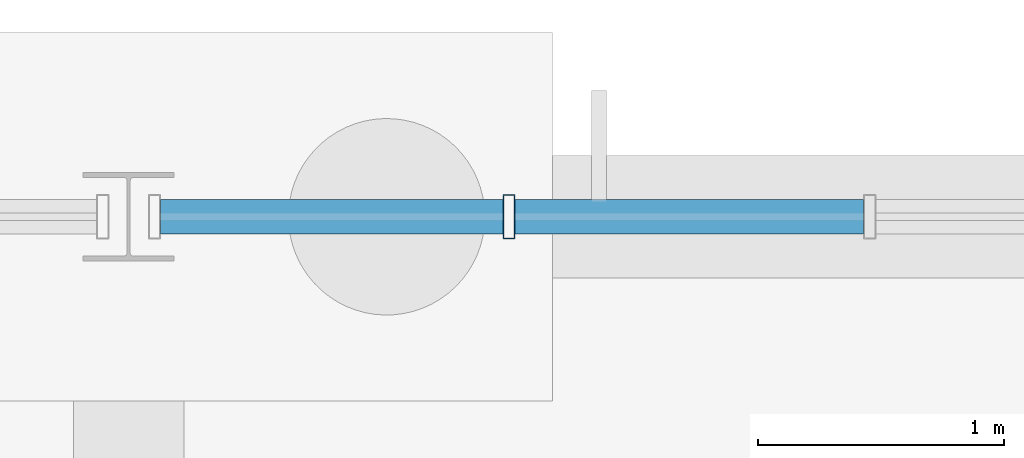
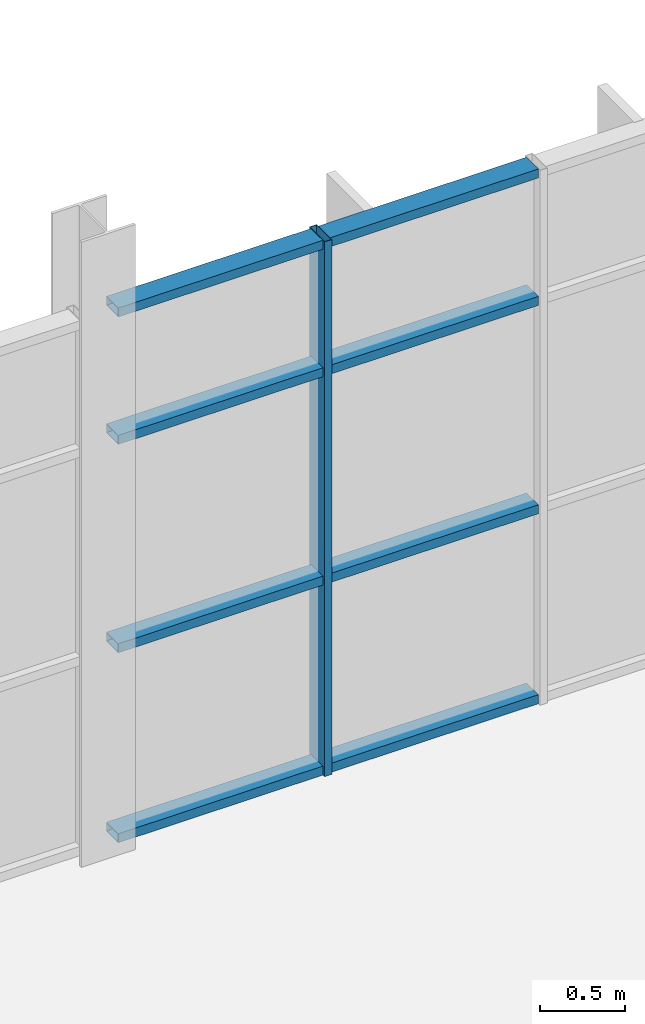
# One storey, part 34 of 136: 9 members, 1 element without a shape of its own.
"""IFC4 building model written with IfcOpenShell, lengths in metres."""

import ifcopenshell
import ifcopenshell.guid

model = None  # the IFC model being written
_history = None  # IfcOwnerHistory: only IFC2X3 demands one
_inside = {}  # id of a spatial element -> (the spatial element, [elements in it])
_under = {}  # id of a project, library or spatial element -> (it, [spatial elements below it])
_declared = {}  # id of a project -> (the project, [libraries it declares])
_typed = {}  # id of a type object -> (the type object, [elements of that type])
_made_of = {}  # id of a material, layer set ... -> (it, [elements and type objects made of it])


def new_model(schema):
    """Start an empty IFC model of exactly this schema.

    Asked for "IFC4X3", IfcOpenShell would pick the latest addendum, in which some entities
    have other attributes; the version numbers below select the first issue.
    IFC2X3 requires an IfcOwnerHistory on every rooted entity: one is made here for all.
    """
    global model, _history
    if schema == "IFC4X3":
        model = ifcopenshell.file(schema_version=(4, 3, 0, 0))
    else:
        model = ifcopenshell.file(schema=schema)
    _inside.clear()
    _under.clear()
    _declared.clear()
    _typed.clear()
    _made_of.clear()
    _history = None
    if model.schema == "IFC2X3":
        org = make("IfcOrganization", Name="unknown")
        user = make(
            "IfcPersonAndOrganization",
            ThePerson=make("IfcPerson", FamilyName="unknown"),
            TheOrganization=org,
        )
        app = make(
            "IfcApplication",
            ApplicationDeveloper=org,
            Version="unknown",
            ApplicationFullName="unknown",
            ApplicationIdentifier="unknown",
        )
        _history = make(
            "IfcOwnerHistory",
            OwningUser=user,
            OwningApplication=app,
            ChangeAction="ADDED",
            CreationDate=0,
        )
    return model


def make(cls, **values):
    """One entity of the class cls with the attributes given. An attribute that is None is left unset."""
    return model.create_entity(
        cls, **{name: value for name, value in values.items() if value is not None}
    )


def rooted(cls, **values):
    """An entity with a GlobalId (a new one), such as an element, a storey or a relation."""
    return make(cls, GlobalId=ifcopenshell.guid.new(), OwnerHistory=_history, **values)


def si_unit(unit_type, name, prefix=None):
    """IfcSIUnit, for example si_unit("LENGTHUNIT", "METRE", prefix="MILLI")."""
    return make("IfcSIUnit", UnitType=unit_type, Prefix=prefix, Name=name)


def assignment(units):
    """IfcUnitAssignment: the units of a project."""
    return None if units is None else make("IfcUnitAssignment", Units=units)


def point(xyz):
    """IfcCartesianPoint."""
    return None if xyz is None else make("IfcCartesianPoint", Coordinates=xyz)


def direction(xyz):
    """IfcDirection."""
    return None if xyz is None else make("IfcDirection", DirectionRatios=xyz)


def frame(location, z_axis=None, x_axis=None):
    """IfcAxis2Placement3D, a coordinate frame: its origin and axes. An axis left out is left unset."""
    return make(
        "IfcAxis2Placement3D",
        Location=point(location),
        Axis=direction(z_axis),
        RefDirection=direction(x_axis),
    )


def frame_2d(location, x_axis=None):
    """IfcAxis2Placement2D, a coordinate frame in the plane: its origin and x axis."""
    return make(
        "IfcAxis2Placement2D", Location=point(location), RefDirection=direction(x_axis)
    )


def origin():
    """The frame at (0, 0, 0) with its axes left unset."""
    return frame((0.0, 0.0, 0.0))


def origin_2d():
    """The frame at (0, 0) in the plane with its x axis left unset."""
    return frame_2d((0.0, 0.0))


def place(relative_to, where):
    """IfcLocalPlacement: puts the frame where relative to a parent placement (None: the world)."""
    return make(
        "IfcLocalPlacement", PlacementRelTo=relative_to, RelativePlacement=where
    )


def context(
    kind, dimensions, precision=None, world=None, true_north=None, identifier=None
):
    """IfcGeometricRepresentationContext, for example the 3D "Model" context."""
    return make(
        "IfcGeometricRepresentationContext",
        ContextIdentifier=identifier,
        ContextType=kind,
        CoordinateSpaceDimension=dimensions,
        Precision=precision,
        WorldCoordinateSystem=world,
        TrueNorth=true_north,
    )


def subcontext(parent, identifier, kind, view, scale=None):
    """IfcGeometricRepresentationSubContext, for example "Body" below "Model"."""
    return make(
        "IfcGeometricRepresentationSubContext",
        ContextIdentifier=identifier,
        ContextType=kind,
        ParentContext=parent,
        TargetScale=scale,
        TargetView=view,
    )


def project(units=None, contexts=None):
    """IfcProject with its units and contexts."""
    return rooted(
        "IfcProject",
        Name="project",
        RepresentationContexts=contexts,
        UnitsInContext=assignment(units),
    )


def spatial(cls, under=None, at=None, **own):
    """A site, building, storey or space (cls), placed at a placement, below another one or the project."""
    s = rooted(cls, ObjectPlacement=at, **own)
    if under is not None:
        _under.setdefault(under.id(), (under, []))[1].append(s)
    return s


def profile(cls, at=None, kind="AREA", **sizes):
    """A parametric profile (cls). Its sizes go by their IFC names, for example OverallWidth=200.0."""
    return make(cls, ProfileType=kind, Position=at, **sizes)


def hollow_rectangle(**sizes):
    """IfcRectangleHollowProfileDef."""
    return profile("IfcRectangleHollowProfileDef", **sizes)


def extrude(swept, where, along, depth):
    """IfcExtrudedAreaSolid: the profile swept, set in the frame where, extruded along a direction by depth."""
    return make(
        "IfcExtrudedAreaSolid",
        SweptArea=swept,
        Position=where,
        ExtrudedDirection=direction(along),
        Depth=depth,
    )


def shape(context_of_items, identifier, shape_type, items):
    """IfcShapeRepresentation: the items that make up one representation, for example the "Body"."""
    return make(
        "IfcShapeRepresentation",
        ContextOfItems=context_of_items,
        RepresentationIdentifier=identifier,
        RepresentationType=shape_type,
        Items=items,
    )


def material(Name=None, Category=None):
    """IfcMaterial."""
    return make("IfcMaterial", Name=Name, Category=Category)


def layer(
    of_material, thickness, ventilated=None, Name=None, Category=None, Priority=None
):
    """IfcMaterialLayer: one layer of a wall or slab, of a material (None: an air gap)."""
    return make(
        "IfcMaterialLayer",
        Material=of_material,
        LayerThickness=thickness,
        IsVentilated=ventilated,
        Name=Name,
        Category=Category,
        Priority=Priority,
    )


def layer_set(layers, Name=None):
    """IfcMaterialLayerSet."""
    return make("IfcMaterialLayerSet", MaterialLayers=layers, LayerSetName=Name)


def material_profile(
    of_material, cross_section, Name=None, Category=None, Priority=None
):
    """IfcMaterialProfile: a cross section and its material."""
    return make(
        "IfcMaterialProfile",
        Name=Name,
        Material=of_material,
        Profile=cross_section,
        Priority=Priority,
        Category=Category,
    )


def profile_set(profiles, Name=None, composite=None):
    """IfcMaterialProfileSet."""
    return make(
        "IfcMaterialProfileSet",
        Name=Name,
        MaterialProfiles=profiles,
        CompositeProfile=composite,
    )


def made_of(thing, what):
    """Note that an element or type object is made of a material, layer set ...; save() writes the relation."""
    if what is not None:
        _made_of.setdefault(what.id(), (what, []))[1].append(thing)
    return thing


def type_object(cls, material=None, **own):
    """A type object (cls), such as IfcWallType, which elements share."""
    return made_of(rooted(cls, **own), material)


def element(
    cls,
    number,
    at=None,
    inside=None,
    cuts=None,
    type_object=None,
    material=None,
    context=None,
    identifier="Body",
    shape_type=None,
    held_by="IfcProductDefinitionShape",
    body=None,
    shapes=None,
    **own,
):
    """One element of the class cls, such as IfcWall. Its Tag is "e" and its number.

    at: its placement. inside: the storey or other place that contains it. cuts: it is an
    opening in that element (IfcRelVoidsElement). A single representation is given by context,
    identifier, shape_type and body (its items); several are given by shapes. held_by: the class
    of the entity that holds the representations. save() writes the other relations.
    """
    e = rooted(cls, Tag="e%d" % number, ObjectPlacement=at, **own)
    if body is not None:
        shapes = [shape(context, identifier, shape_type, body)]
    if shapes is not None:
        e.Representation = make(held_by, Representations=shapes)
    if inside is not None:
        _inside.setdefault(inside.id(), (inside, []))[1].append(e)
    if cuts is not None:
        rooted(
            "IfcRelVoidsElement", RelatingBuildingElement=cuts, RelatedOpeningElement=e
        )
    if type_object is not None:
        _typed.setdefault(type_object.id(), (type_object, []))[1].append(e)
    return made_of(e, material)


def aggregate(whole, parts):
    """IfcRelAggregates: a whole, such as a stair, and the parts it consists of."""
    return rooted("IfcRelAggregates", RelatingObject=whole, RelatedObjects=parts)


def save(model, path):
    """Write the relations noted so far, then the file.

    IfcRelAggregates (storeys below a building ...), IfcRelContainedInSpatialStructure (elements
    in a storey), IfcRelDefinesByType, IfcRelAssociatesMaterial and IfcRelDeclares: one each for
    every whole, place, type object, material and project.
    """
    for whole, parts in _under.values():
        aggregate(whole, parts)
    for where, things in _inside.values():
        rooted(
            "IfcRelContainedInSpatialStructure",
            RelatedElements=things,
            RelatingStructure=where,
        )
    for kind, things in _typed.values():
        rooted("IfcRelDefinesByType", RelatedObjects=things, RelatingType=kind)
    for what, things in _made_of.values():
        rooted("IfcRelAssociatesMaterial", RelatedObjects=things, RelatingMaterial=what)
    for by, libraries in _declared.values():
        rooted("IfcRelDeclares", RelatingContext=by, RelatedDefinitions=libraries)
    model.write(path)


model = new_model("IFC4")

# Units and contexts
model_context = context("Model", 3, precision=1e-05, world=origin(), true_north=direction((0.0, 1.0)))
body_context = subcontext(model_context, "Body", "Model", "MODEL_VIEW")
ifc_project = project(units=[si_unit("LENGTHUNIT", "METRE"), si_unit("AREAUNIT", "SQUARE_METRE"), si_unit("VOLUMEUNIT", "CUBIC_METRE"), si_unit("PLANEANGLEUNIT", "RADIAN"), si_unit("MASSUNIT", "GRAM", prefix="KILO")], contexts=[model_context])

# Site, building, storey
site_placement = place(None, origin())
site = spatial("IfcSite", under=ifc_project, at=site_placement, CompositionType="ELEMENT")
building_placement = place(site_placement, origin())
building = spatial("IfcBuilding", under=site, at=building_placement, Name="Solvenia Promenade Tram Depot", CompositionType="ELEMENT")
storey_placement = place(building_placement, origin())
storey = spatial("IfcBuildingStorey", under=building, at=storey_placement, Name="L00", CompositionType="ELEMENT", Elevation=0.0)

# Curtain wall, members
ifc_material = material(Name="Anodized aluminium AW-6063 T6", Category="aluminium")
ifc_layer = layer(ifc_material, 0.14990234375, Name="Anodized aluminium AW-6063 T6", Category="aluminium")
ifc_layer_set = layer_set([ifc_layer], Name="Anodized aluminium AW-6063 T6")
curtain_wall_type = type_object("IfcCurtainWallType", Name="CW-Court-1500", PredefinedType="NOTDEFINED", material=ifc_layer_set)
curtain_wall_placement = place(storey_placement, origin())
curtain_wall = element("IfcCurtainWall", 1, at=curtain_wall_placement, inside=storey, type_object=curtain_wall_type, Name="Curtain Wall CW-V4N-L00-09", PredefinedType="NOTDEFINED")
ifc_material_profile_1 = material_profile(ifc_material, hollow_rectangle(XDim=0.179931640625, YDim=0.050048828125, WallThickness=0.00390625, at=origin_2d()), Name="ALU-M2", Category="aluminium")
ifc_profile_set_1 = profile_set([ifc_material_profile_1], Name="Anodized aluminium AW-6063 T6")
member_type_1 = type_object("IfcMemberType", Name="CWM-Mullion-2", PredefinedType="MULLION", material=ifc_profile_set_1)
member_1_placement = place(storey_placement, frame((61.548095703125, 24.0, 0.0), z_axis=(0.0, 0.0, 1.0), x_axis=(0.0, 1.0, 0.0)))
member_1 = element("IfcMember", 2, at=member_1_placement, type_object=member_type_1, Name="CW-5 mullion 2", PredefinedType="MULLION", context=body_context, shape_type="SweptSolid", body=[
    extrude(hollow_rectangle(XDim=0.179931640625, YDim=0.050048828125, WallThickness=0.00390625, at=origin_2d()), origin(), (0.0, 0.0, 1.0), 3.85009765625),
])
ifc_material_profile_2 = material_profile(ifc_material, hollow_rectangle(XDim=0.139892578125, YDim=0.06494140625, WallThickness=0.00390625, at=origin_2d()), Name="ALU-T2", Category="aluminium")
ifc_profile_set_2 = profile_set([ifc_material_profile_2], Name="Anodized aluminium AW-6063 T6")
member_type_2 = type_object("IfcMemberType", Name="CWT-Transom-2", PredefinedType="USERDEFINED", material=ifc_profile_set_2)
member_2_placement = place(storey_placement, frame((60.1298828125, 24.0, 0.032470703125), z_axis=(1.0, 0.0, 0.0), x_axis=(0.0, 1.0, 0.0)))
member_2 = element("IfcMember", 3, at=member_2_placement, type_object=member_type_2, Name="CW-5 transom 1.1", ObjectType="TRANSOM", PredefinedType="USERDEFINED", context=body_context, shape_type="SweptSolid", body=[
    extrude(hollow_rectangle(XDim=0.139892578125, YDim=0.06494140625, WallThickness=0.00390625, at=origin_2d()), origin(), (0.0, 0.0, 1.0), 1.39306640625),
])
member_3_placement = place(storey_placement, frame((60.1298828125, 24.0, 1.39990234375), z_axis=(1.0, 0.0, 0.0), x_axis=(0.0, 1.0, 0.0)))
member_3 = element("IfcMember", 4, at=member_3_placement, type_object=member_type_2, Name="CW-5 transom 1.2", ObjectType="TRANSOM", PredefinedType="USERDEFINED", context=body_context, shape_type="SweptSolid", body=[
    extrude(hollow_rectangle(XDim=0.139892578125, YDim=0.06494140625, WallThickness=0.00390625, at=origin_2d()), origin(), (0.0, 0.0, 1.0), 1.39306640625),
])
member_4_placement = place(storey_placement, frame((60.1298828125, 24.0, 2.89990234375), z_axis=(1.0, 0.0, 0.0), x_axis=(0.0, 1.0, 0.0)))
member_4 = element("IfcMember", 5, at=member_4_placement, type_object=member_type_2, Name="CW-5 transom 1.3", ObjectType="TRANSOM", PredefinedType="USERDEFINED", context=body_context, shape_type="SweptSolid", body=[
    extrude(hollow_rectangle(XDim=0.139892578125, YDim=0.06494140625, WallThickness=0.00390625, at=origin_2d()), origin(), (0.0, 0.0, 1.0), 1.39306640625),
])
member_5_placement = place(storey_placement, frame((60.1298828125, 24.0, 3.8173828125), z_axis=(1.0, 0.0, 0.0), x_axis=(0.0, 1.0, 0.0)))
member_5 = element("IfcMember", 6, at=member_5_placement, type_object=member_type_2, Name="CW-5 transom 1.4", ObjectType="TRANSOM", PredefinedType="USERDEFINED", context=body_context, shape_type="SweptSolid", body=[
    extrude(hollow_rectangle(XDim=0.139892578125, YDim=0.06494140625, WallThickness=0.00390625, at=origin_2d()), origin(), (0.0, 0.0, 1.0), 1.39306640625),
])
member_6_placement = place(storey_placement, frame((61.572998046875, 24.0, 0.032470703125), z_axis=(1.0, 0.0, 0.0), x_axis=(0.0, 1.0, 0.0)))
member_6 = element("IfcMember", 7, at=member_6_placement, type_object=member_type_2, Name="CW-5 transom 2.1", ObjectType="TRANSOM", PredefinedType="USERDEFINED", context=body_context, shape_type="SweptSolid", body=[
    extrude(hollow_rectangle(XDim=0.139892578125, YDim=0.06494140625, WallThickness=0.00390625, at=origin_2d()), origin(), (0.0, 0.0, 1.0), 1.41796875),
])
member_7_placement = place(storey_placement, frame((61.572998046875, 24.0, 1.39990234375), z_axis=(1.0, 0.0, 0.0), x_axis=(0.0, 1.0, 0.0)))
member_7 = element("IfcMember", 8, at=member_7_placement, type_object=member_type_2, Name="CW-5 transom 2.2", ObjectType="TRANSOM", PredefinedType="USERDEFINED", context=body_context, shape_type="SweptSolid", body=[
    extrude(hollow_rectangle(XDim=0.139892578125, YDim=0.06494140625, WallThickness=0.00390625, at=origin_2d()), origin(), (0.0, 0.0, 1.0), 1.41796875),
])
member_8_placement = place(storey_placement, frame((61.572998046875, 24.0, 2.89990234375), z_axis=(1.0, 0.0, 0.0), x_axis=(0.0, 1.0, 0.0)))
member_8 = element("IfcMember", 9, at=member_8_placement, type_object=member_type_2, Name="CW-5 transom 2.3", ObjectType="TRANSOM", PredefinedType="USERDEFINED", context=body_context, shape_type="SweptSolid", body=[
    extrude(hollow_rectangle(XDim=0.139892578125, YDim=0.06494140625, WallThickness=0.00390625, at=origin_2d()), origin(), (0.0, 0.0, 1.0), 1.41796875),
])
member_9_placement = place(storey_placement, frame((61.572998046875, 24.0, 3.8173828125), z_axis=(1.0, 0.0, 0.0), x_axis=(0.0, 1.0, 0.0)))
member_9 = element("IfcMember", 10, at=member_9_placement, type_object=member_type_2, Name="CW-5 transom 2.4", ObjectType="TRANSOM", PredefinedType="USERDEFINED", context=body_context, shape_type="SweptSolid", body=[
    extrude(hollow_rectangle(XDim=0.139892578125, YDim=0.06494140625, WallThickness=0.00390625, at=origin_2d()), origin(), (0.0, 0.0, 1.0), 1.41796875),
])
aggregate(curtain_wall, [member_1, member_2, member_3, member_4, member_5, member_6, member_7, member_8, member_9])

save(model, "model.ifc")
